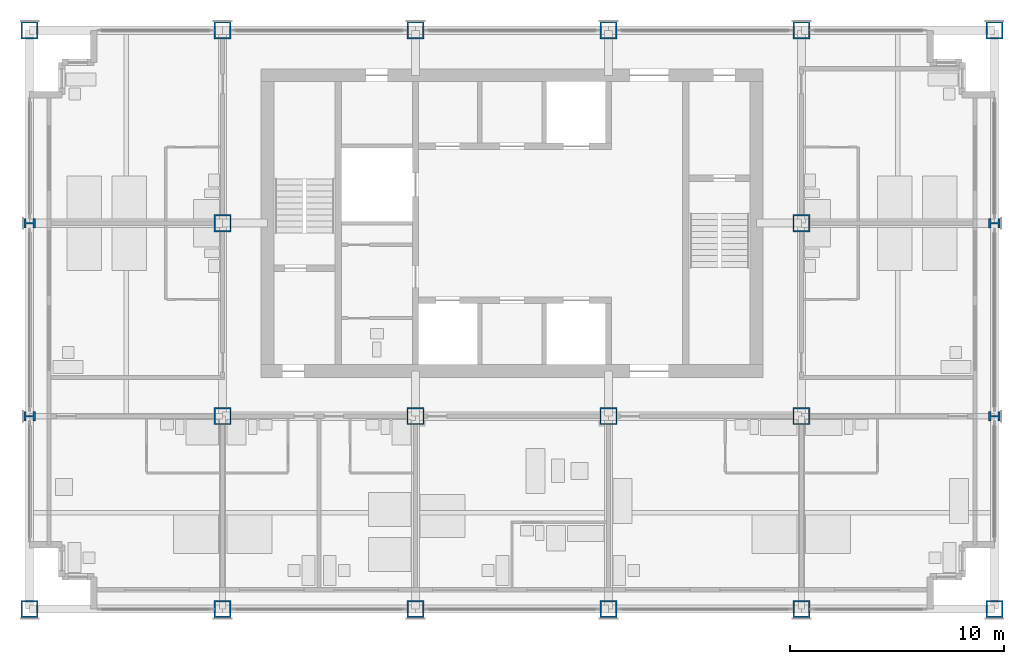
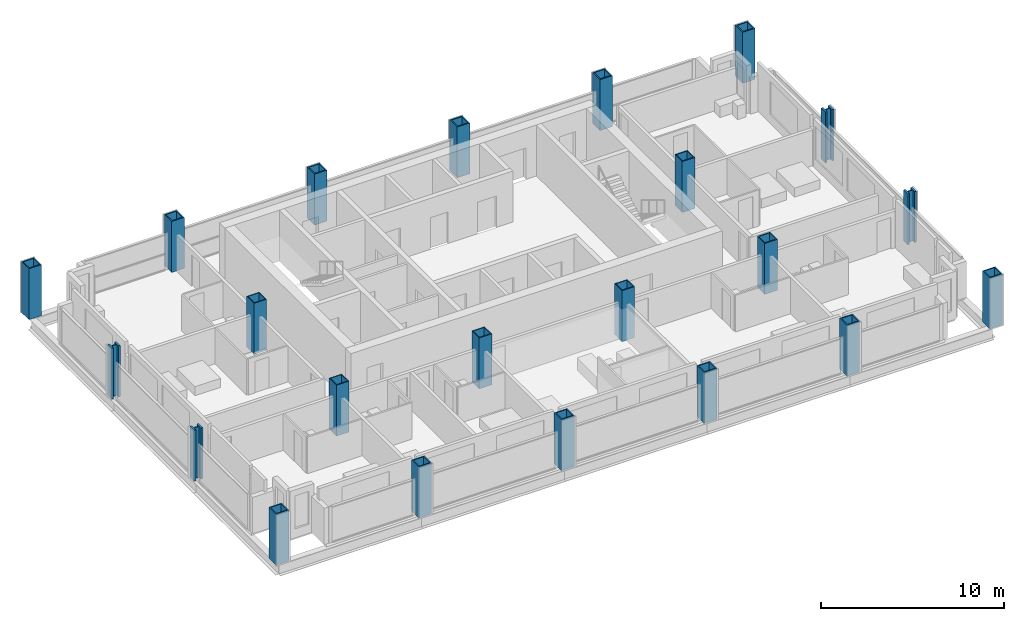
# One storey, part 1 of 13: 22 columns.
"""IFC4 building model written with IfcOpenShell, lengths in metres."""

from ifc_helpers import new_model, si_unit, direction, frame, origin, origin_2d, place, context, subcontext, project, spatial, hollow_rectangle, i_section, extrude, material, material_profile, profile_set, type_object, element, save


model = new_model("IFC4")

# Units and contexts
model_context = context("Model", 3, precision=1e-05, world=origin(), true_north=direction((0.0, 1.0)))
body_context = subcontext(model_context, "Body", "Model", "MODEL_VIEW")
ifc_project = project(units=[si_unit("LENGTHUNIT", "METRE"), si_unit("AREAUNIT", "SQUARE_METRE"), si_unit("VOLUMEUNIT", "CUBIC_METRE"), si_unit("PLANEANGLEUNIT", "RADIAN"), si_unit("MASSUNIT", "GRAM", prefix="KILO")], contexts=[model_context])

# Site, building, storey
site_placement = place(None, origin())
site = spatial("IfcSite", under=ifc_project, at=site_placement, CompositionType="ELEMENT")
building_placement = place(site_placement, origin())
building = spatial("IfcBuilding", under=site, at=building_placement, Name="Loomwork Tower", CompositionType="ELEMENT")
storey_placement = place(building_placement, frame((0.0, 0.0, 184.199951171875)))
storey = spatial("IfcBuildingStorey", under=building, at=storey_placement, Name="L50", CompositionType="ELEMENT", Elevation=184.199951171875)

# Columns
ifc_material_1 = material(Name="Steel ASTM A572 Grade 50 plate", Category="steel")
ifc_material_profile_1 = material_profile(ifc_material_1, hollow_rectangle(XDim=0.800048828125, YDim=0.800048828125, WallThickness=0.070068359375, at=origin_2d()), Name="BOX800x70")
ifc_profile_set_1 = profile_set([ifc_material_profile_1], Name="Steel ASTM A572 Grade 50 plate")
column_type_1 = type_object("IfcColumnType", Name="EXOSKELETON PIER BOX800x70", PredefinedType="COLUMN", material=ifc_profile_set_1)
for number, where, z_axis, x_axis, name in (
    (1, (0.0, 0.0, 0.0), (0.0, 0.0, 1.0), (1.0, 0.0, 0.0), "Exoskeleton Pier D/2 L50"),
    (2, (0.0, 27.0, 0.0), (0.0, 0.0, 1.0), (0.0, 1.0, 0.0), "Exoskeleton Pier G/2 L50"),
    (3, (9.0, 0.0, 0.0), (0.0, 0.0, 1.0), (1.0, 0.0, 0.0), "Exoskeleton Pier D/3 L50"),
    (4, (9.0, 27.0, 0.0), (0.0, 0.0, 1.0), (1.0, 0.0, 0.0), "Exoskeleton Pier G/3 L50"),
    (5, (18.0, 0.0, 0.0), (0.0, 0.0, 1.0), (1.0, 0.0, 0.0), "Exoskeleton Pier D/4 L50"),
    (6, (18.0, 27.0, 0.0), (0.0, 0.0, 1.0), (1.0, 0.0, 0.0), "Exoskeleton Pier G/4 L50"),
    (7, (27.0, 0.0, 0.0), (0.0, 0.0, 1.0), (1.0, 0.0, 0.0), "Exoskeleton Pier D/5 L50"),
    (8, (27.0, 27.0, 0.0), (0.0, 0.0, 1.0), (1.0, 0.0, 0.0), "Exoskeleton Pier G/5 L50"),
    (9, (36.0, 0.0, 0.0), (0.0, 0.0, 1.0), (1.0, 0.0, 0.0), "Exoskeleton Pier D/6 L50"),
    (10, (36.0, 27.0, 0.0), (0.0, 0.0, 1.0), (1.0, 0.0, 0.0), "Exoskeleton Pier G/6 L50"),
    (11, (45.0, 0.0, 0.0), (0.0, 0.0, 1.0), (1.0, 0.0, 0.0), "Exoskeleton Pier D/7 L50"),
    (12, (45.0, 27.0, 0.0), (0.0, 0.0, 1.0), (0.0, 1.0, 0.0), "Exoskeleton Pier G/7 L50"),
):
    element("IfcColumn", number, at=place(storey_placement, frame(where, z_axis=z_axis, x_axis=x_axis)), inside=storey, type_object=column_type_1, Name=name, PredefinedType="COLUMN", context=body_context, shape_type="SweptSolid", body=[
        extrude(hollow_rectangle(XDim=0.800048828125, YDim=0.800048828125, WallThickness=0.070068359375, at=origin_2d()), origin(), (0.0, 0.0, 1.0), 3.400146484375),
    ])
ifc_material_2 = material(Name="Steel ASTM A992", Category="steel")
ifc_material_profile_2 = material_profile(ifc_material_2, i_section(OverallWidth=0.449462890625, OverallDepth=0.548583984375, WebThickness=0.07177734375, FlangeThickness=0.11474609375, at=origin_2d()), Name="W14x665")
ifc_profile_set_2 = profile_set([ifc_material_profile_2], Name="Steel ASTM A992")
column_type_2 = type_object("IfcColumnType", Name="EXOSKELETON PIER W14x665", PredefinedType="COLUMN", material=ifc_profile_set_2)
for number, where, z_axis, x_axis, name in (
    (13, (0.0, 9.0, 0.0), (0.0, 0.0, 1.0), (0.0, 1.0, 0.0), "Exoskeleton Pier E/2 L50"),
    (14, (0.0, 18.0, 0.0), (0.0, 0.0, 1.0), (0.0, 1.0, 0.0), "Exoskeleton Pier F/2 L50"),
    (15, (45.0, 9.0, 0.0), (0.0, 0.0, 1.0), (0.0, 1.0, 0.0), "Exoskeleton Pier E/7 L50"),
    (16, (45.0, 18.0, 0.0), (0.0, 0.0, 1.0), (0.0, 1.0, 0.0), "Exoskeleton Pier F/7 L50"),
):
    element("IfcColumn", number, at=place(storey_placement, frame(where, z_axis=z_axis, x_axis=x_axis)), inside=storey, type_object=column_type_2, Name=name, PredefinedType="COLUMN", context=body_context, shape_type="SweptSolid", body=[
        extrude(i_section(OverallWidth=0.449462890625, OverallDepth=0.548583984375, WebThickness=0.07177734375, FlangeThickness=0.11474609375, at=origin_2d()), origin(), (0.0, 0.0, 1.0), 3.400146484375),
    ])
ifc_material_3 = material(Name="Steel ASTM A572 Grade 50 plate", Category="steel")
ifc_material_profile_3 = material_profile(ifc_material_3, hollow_rectangle(XDim=0.800048828125, YDim=0.800048828125, WallThickness=0.06005859375, at=origin_2d()), Name="BOX800x60")
ifc_profile_set_3 = profile_set([ifc_material_profile_3], Name="Steel ASTM A572 Grade 50 plate")
column_type_3 = type_object("IfcColumnType", Name="TOWER COLUMN BOX800x60", PredefinedType="COLUMN", material=ifc_profile_set_3)
for number, where, z_axis, x_axis, name in (
    (17, (9.0, 9.0, 0.0), (0.0, 0.0, 1.0), (1.0, 0.0, 0.0), "Tower Column E/3 L50"),
    (18, (9.0, 18.0, 0.0), (0.0, 0.0, 1.0), (1.0, 0.0, 0.0), "Tower Column F/3 L50"),
    (19, (18.0, 9.0, 0.0), (0.0, 0.0, 1.0), (1.0, 0.0, 0.0), "Tower Column E/4 L50"),
    (20, (27.0, 9.0, 0.0), (0.0, 0.0, 1.0), (1.0, 0.0, 0.0), "Tower Column E/5 L50"),
    (21, (36.0, 9.0, 0.0), (0.0, 0.0, 1.0), (0.0, 1.0, 0.0), "Tower Column E/6 L50"),
    (22, (36.0, 18.0, 0.0), (0.0, 0.0, 1.0), (0.0, 1.0, 0.0), "Tower Column F/6 L50"),
):
    element("IfcColumn", number, at=place(storey_placement, frame(where, z_axis=z_axis, x_axis=x_axis)), inside=storey, type_object=column_type_3, Name=name, PredefinedType="COLUMN", context=body_context, shape_type="SweptSolid", body=[
        extrude(hollow_rectangle(XDim=0.800048828125, YDim=0.800048828125, WallThickness=0.06005859375, at=origin_2d()), origin(), (0.0, 0.0, 1.0), 3.400146484375),
    ])

save(model, "model.ifc")
